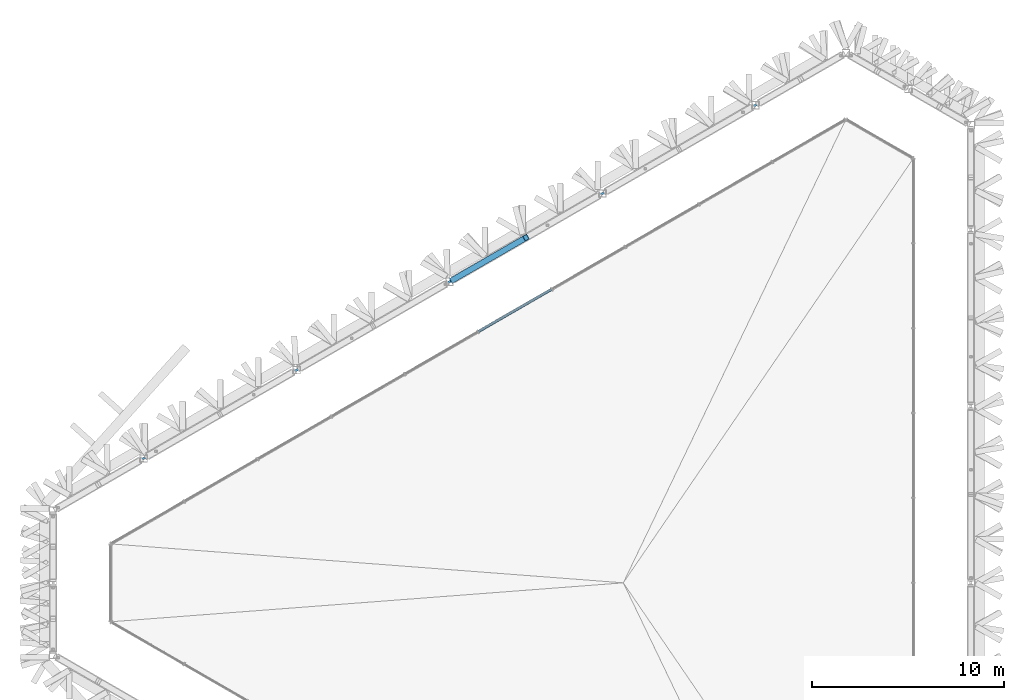
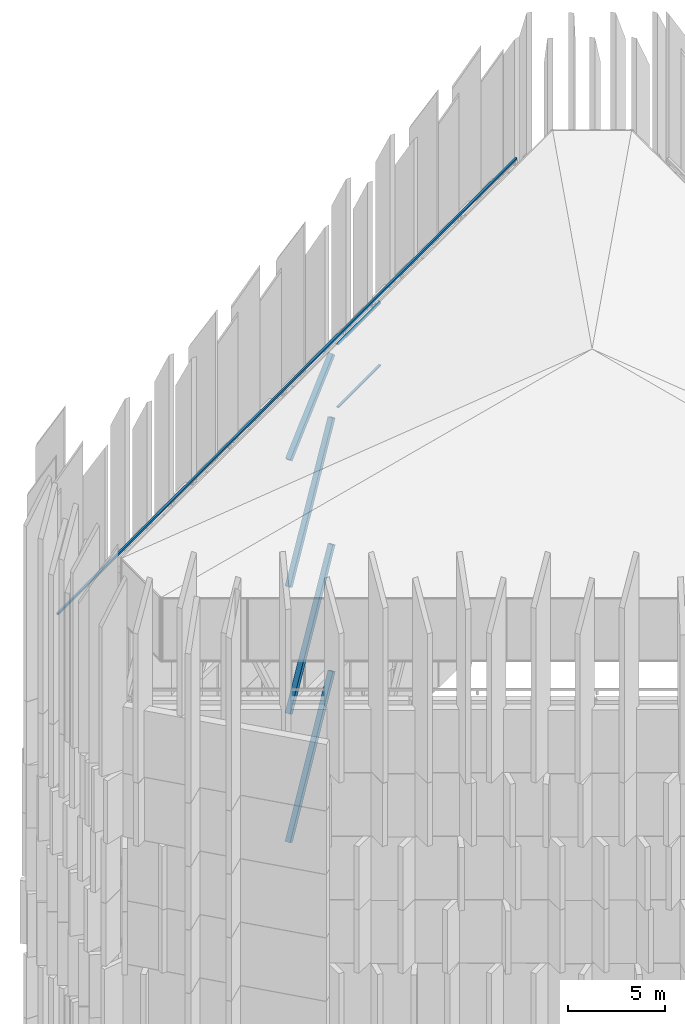
# One storey, part 12 of 45: 7 members, 1 element without a shape of its own.
"""IFC4 building model written with IfcOpenShell, lengths in metres."""

from ifc_helpers import new_model, si_unit, direction, frame, origin, origin_2d, place, context, subcontext, project, spatial, rectangle, hollow_rectangle, extrude, material, layer, layer_set, material_profile, profile_set, type_object, element, aggregate, save


model = new_model("IFC4")

# Units and contexts
model_context = context("Model", 3, precision=1e-05, world=origin(), true_north=direction((0.0, 1.0)))
body_context = subcontext(model_context, "Body", "Model", "MODEL_VIEW")
ifc_project = project(units=[si_unit("LENGTHUNIT", "METRE"), si_unit("AREAUNIT", "SQUARE_METRE"), si_unit("VOLUMEUNIT", "CUBIC_METRE"), si_unit("PLANEANGLEUNIT", "RADIAN"), si_unit("MASSUNIT", "GRAM", prefix="KILO")], contexts=[model_context])

# Site, building, storey
site_placement = place(None, origin())
site = spatial("IfcSite", under=ifc_project, at=site_placement, CompositionType="ELEMENT")
building_placement = place(site_placement, origin())
building = spatial("IfcBuilding", under=site, at=building_placement, Name="Jabali Bay Hotel Tower and Convention Centre", CompositionType="ELEMENT")
storey_placement = place(building_placement, frame((0.0, 0.0, 322.39990234375)))
storey = spatial("IfcBuildingStorey", under=building, at=storey_placement, Name="Crown", CompositionType="ELEMENT", Elevation=322.39990234375)

# Member
ifc_material_1 = material(Name="Steel Q355B", Category="steel")
ifc_material_profile_1 = material_profile(ifc_material_1, hollow_rectangle(XDim=0.1201171875, YDim=0.1201171875, WallThickness=0.008056640625, at=origin_2d()), Name="BMU rail")
ifc_profile_set_1 = profile_set([ifc_material_profile_1], Name="Steel Q355B")
member_type_1 = type_object("IfcMemberType", Name="BMU rail", PredefinedType="USERDEFINED", material=ifc_profile_set_1)
member_1_placement = place(storey_placement, frame((86.365478515625, 107.518310546875, 28.66015625), z_axis=(-0.866025042038, -0.500000626562, 0.0), x_axis=(0.500000626562, -0.866025042038, 0.0)))
element("IfcMember", 1, at=member_1_placement, inside=storey, type_object=member_type_1, Name="BMU rail 3", ObjectType="BMU RAIL", PredefinedType="USERDEFINED", context=body_context, shape_type="SweptSolid", body=[
    extrude(hollow_rectangle(XDim=0.1201171875, YDim=0.1201171875, WallThickness=0.008056640625, at=origin_2d()), origin(), (0.0, 0.0, 1.0), 47.2041015625),
])

# Curtain wall, members
ifc_material_2 = material(Name="Aluminium and glass", Category="aluminium")
ifc_layer = layer(ifc_material_2, 0.199951171875)
ifc_layer_set = layer_set([ifc_layer], Name="Aluminium and glass")
curtain_wall_type = type_object("IfcCurtainWallType", Name="CW6 curtain wall", PredefinedType="NOTDEFINED", material=ifc_layer_set)
curtain_wall_placement = place(storey_placement, origin())
curtain_wall = element("IfcCurtainWall", 2, at=curtain_wall_placement, inside=storey, type_object=curtain_wall_type, Name="CW6 lantern glazing 3", PredefinedType="NOTDEFINED")
ifc_material_3 = material(Name="Aluminium", Category="aluminium")
ifc_material_profile_2 = material_profile(ifc_material_3, rectangle(XDim=0.139892578125, YDim=0.06005859375, at=origin_2d()), Name="CW6 transom 60 x 140")
ifc_profile_set_2 = profile_set([ifc_material_profile_2], Name="Aluminium")
member_type_2 = type_object("IfcMemberType", Name="CW6 transom 60 x 140", PredefinedType="USERDEFINED", material=ifc_profile_set_2)
member_2_placement = place(storey_placement, frame((71.239501953125, 95.3212890625, 28.380126953125), z_axis=(-0.866015480101, -0.500017187931, 0.0), x_axis=(0.500017187931, -0.866015480101, 0.0)))
member_2 = element("IfcMember", 3, at=member_2_placement, type_object=member_type_2, Name="CW6 transom 5.1", ObjectType="TRANSOM", PredefinedType="USERDEFINED", context=body_context, shape_type="SweptSolid", body=[
    extrude(rectangle(XDim=0.139892578125, YDim=0.06005859375, at=origin_2d()), origin(), (0.0, 0.0, 1.0), 4.373779296875),
])
member_3_placement = place(storey_placement, frame((71.239501953125, 95.3212890625, 32.320068359375), z_axis=(-0.866015480101, -0.500017187931, 0.0), x_axis=(0.500017187931, -0.866015480101, 0.0)))
member_3 = element("IfcMember", 4, at=member_3_placement, type_object=member_type_2, Name="CW6 transom 5.2", ObjectType="TRANSOM", PredefinedType="USERDEFINED", context=body_context, shape_type="SweptSolid", body=[
    extrude(rectangle(XDim=0.139892578125, YDim=0.06005859375, at=origin_2d()), origin(), (0.0, 0.0, 1.0), 4.373779296875),
])
aggregate(curtain_wall, [member_2, member_3])

# Members
ifc_material_4 = material(Name="Steel Q420GJC", Category="steel")
ifc_material_profile_3 = material_profile(ifc_material_4, hollow_rectangle(XDim=0.300048828125, YDim=0.300048828125, WallThickness=0.01611328125, at=origin_2d()), Name="Crown frame brace 300x300x16")
ifc_profile_set_3 = profile_set([ifc_material_profile_3], Name="Steel Q420GJC")
member_type_3 = type_object("IfcMemberType", Name="Crown frame brace 300x300x16", PredefinedType="USERDEFINED", material=ifc_profile_set_3)
member_4_placement = place(storey_placement, frame((66.098876953125, 95.8173828125, -0.099853515625), z_axis=(0.415337197949, 0.239785036188, 0.877495383703), x_axis=(-0.499984350684, 0.866034438732, 0.0)))
element("IfcMember", 5, at=member_4_placement, inside=storey, type_object=member_type_3, Name="Crown brace 1 F1.2-F1.3r", ObjectType="CROWN FRAME", PredefinedType="USERDEFINED", context=body_context, shape_type="SweptSolid", body=[
    extrude(hollow_rectangle(XDim=0.300048828125, YDim=0.300048828125, WallThickness=0.01611328125, at=origin_2d()), origin(), (0.0, 0.0, 1.0), 9.197998046875),
])
for number, where, z_axis, x_axis, name in (
    (6, (66.098876953125, 95.8173828125, 7.971435546875), (0.419325955277, 0.242087850203, 0.874962408344), (-0.499984350684, 0.866034438732, 0.0), "Crown brace 2 F1.2-F1.3r"),
    (7, (66.098876953125, 95.8173828125, 15.94287109375), (0.419325955277, 0.242087850203, 0.874962408344), (-0.499984350684, 0.866034438732, 0.0), "Crown brace 3 F1.2-F1.3r"),
):
    element("IfcMember", number, at=place(storey_placement, frame(where, z_axis=z_axis, x_axis=x_axis)), inside=storey, type_object=member_type_3, Name=name, ObjectType="CROWN FRAME", PredefinedType="USERDEFINED", context=body_context, shape_type="SweptSolid", body=[
        extrude(hollow_rectangle(XDim=0.300048828125, YDim=0.300048828125, WallThickness=0.01611328125, at=origin_2d()), origin(), (0.0, 0.0, 1.0), 9.110595703125),
    ])
member_5_placement = place(storey_placement, frame((66.098876953125, 95.8173828125, 23.914306640625), z_axis=(0.642580200518, 0.370978369854, 0.670422057366), x_axis=(-0.499984350684, 0.866034438732, 0.0)))
element("IfcMember", 8, at=member_5_placement, inside=storey, type_object=member_type_3, Name="Crown brace 4 F1.2-F1.3r", ObjectType="CROWN FRAME", PredefinedType="USERDEFINED", context=body_context, shape_type="SweptSolid", body=[
    extrude(hollow_rectangle(XDim=0.300048828125, YDim=0.300048828125, WallThickness=0.01611328125, at=origin_2d()), origin(), (0.0, 0.0, 1.0), 5.9453125),
])

save(model, "model.ifc")
